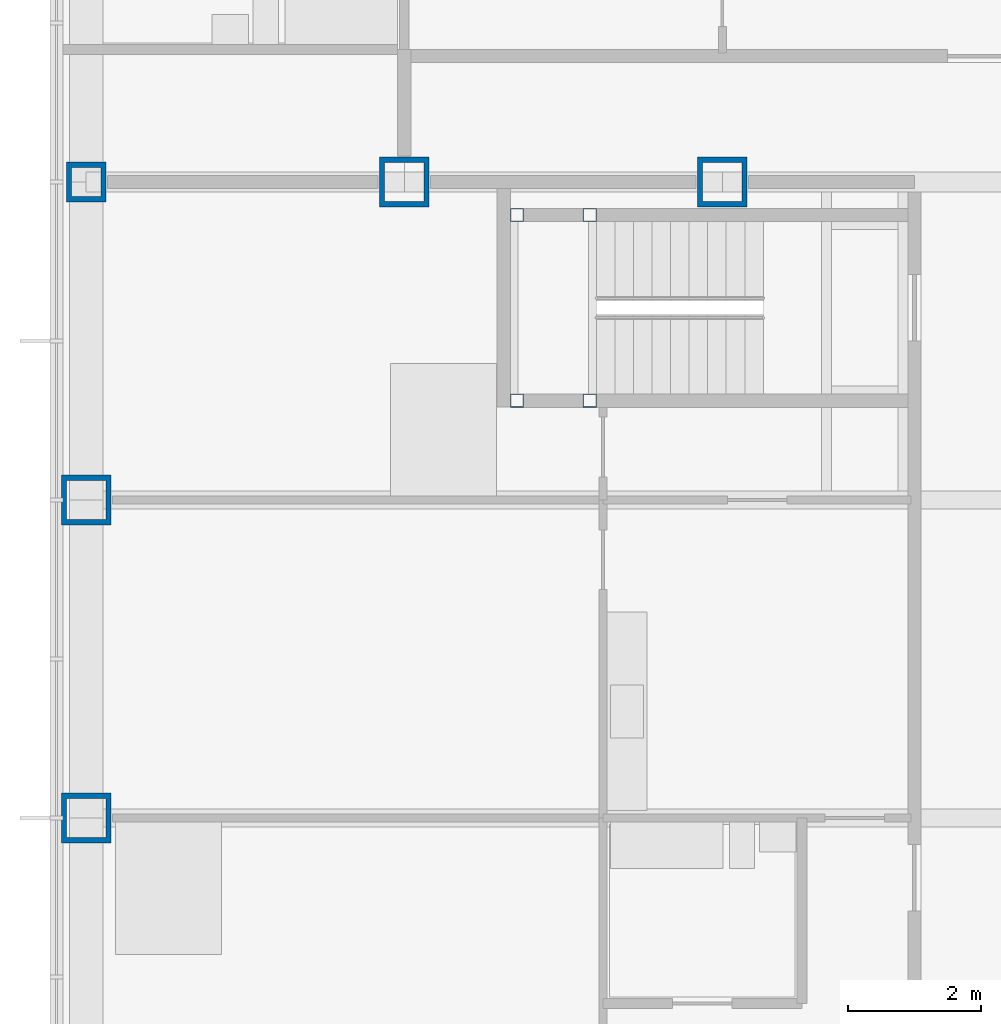
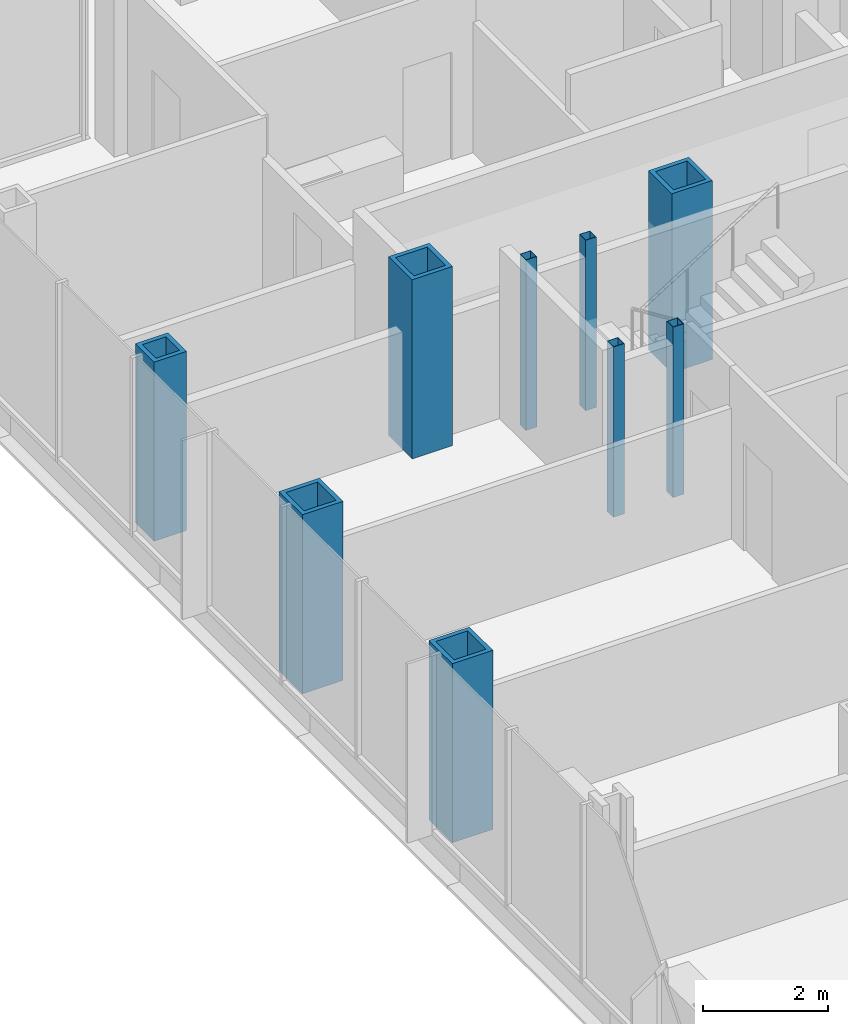
# One storey, part 3 of 21: 9 columns.
"""IFC4 building model written with IfcOpenShell, lengths in metres."""

from ifc_helpers import new_model, si_unit, direction, frame, origin, origin_2d, place, context, subcontext, project, spatial, hollow_rectangle, extrude, material, material_profile, profile_set, type_object, element, save


model = new_model("IFC4")

# Units and contexts
model_context = context("Model", 3, precision=1e-05, world=origin(), true_north=direction((0.0, 1.0)))
body_context = subcontext(model_context, "Body", "Model", "MODEL_VIEW")
ifc_project = project(units=[si_unit("LENGTHUNIT", "METRE"), si_unit("AREAUNIT", "SQUARE_METRE"), si_unit("VOLUMEUNIT", "CUBIC_METRE"), si_unit("PLANEANGLEUNIT", "RADIAN"), si_unit("MASSUNIT", "GRAM", prefix="KILO")], contexts=[model_context])

# Site, building, storey
site_placement = place(None, origin())
site = spatial("IfcSite", under=ifc_project, at=site_placement, CompositionType="ELEMENT")
building_placement = place(site_placement, origin())
building = spatial("IfcBuilding", under=site, at=building_placement, Name="Kvirike Care Tower", CompositionType="ELEMENT")
storey_placement = place(building_placement, frame((0.0, 0.0, 41.0)))
storey = spatial("IfcBuildingStorey", under=building, at=storey_placement, Name="L10", CompositionType="ELEMENT", Elevation=41.0)

# Columns
ifc_material_1 = material(Name="Steel S460", Category="steel")
ifc_material_profile_1 = material_profile(ifc_material_1, hollow_rectangle(XDim=0.60009765625, YDim=0.60009765625, WallThickness=0.080078125, at=origin_2d()), Name="BX 600x600x80")
ifc_profile_set_1 = profile_set([ifc_material_profile_1], Name="Steel S460")
column_type_1 = type_object("IfcColumnType", Name="COLUMN BX 600x600x80", PredefinedType="COLUMN", material=ifc_profile_set_1)
column_placement = place(storey_placement, frame((0.0, 43.199951171875, 0.0), z_axis=(0.0, 0.0, 1.0), x_axis=(0.0, 1.0, 0.0)))
element("IfcColumn", 1, at=column_placement, inside=storey, type_object=column_type_1, Name="Column K3 L10", PredefinedType="COLUMN", context=body_context, shape_type="SweptSolid", body=[
    extrude(hollow_rectangle(XDim=0.60009765625, YDim=0.60009765625, WallThickness=0.080078125, at=origin_2d()), origin(), (0.0, 0.0, 1.0), 3.5),
])
ifc_material_2 = material(Name="Steel S460", Category="steel")
ifc_material_profile_2 = material_profile(ifc_material_2, hollow_rectangle(XDim=0.75, YDim=0.75, WallThickness=0.080078125, at=origin_2d()), Name="BX 750x750x80")
ifc_profile_set_2 = profile_set([ifc_material_profile_2], Name="Steel S460")
column_type_2 = type_object("IfcColumnType", Name="COLUMN BX 750x750x80", PredefinedType="COLUMN", material=ifc_profile_set_2)
for number, where, z_axis, x_axis, name in (
    (2, (0.0, 33.60009765625, 0.0), (0.0, 0.0, 1.0), (1.0, 0.0, 0.0), "Column H3 L10"),
    (3, (0.0, 38.39990234375, 0.0), (0.0, 0.0, 1.0), (1.0, 0.0, 0.0), "Column J3 L10"),
    (4, (4.800048828125, 43.199951171875, 0.0), (0.0, 0.0, 1.0), (0.0, 1.0, 0.0), "Column K4 L10"),
    (5, (9.60009765625, 43.199951171875, 0.0), (0.0, 0.0, 1.0), (0.0, 1.0, 0.0), "Column K5 L10"),
):
    element("IfcColumn", number, at=place(storey_placement, frame(where, z_axis=z_axis, x_axis=x_axis)), inside=storey, type_object=column_type_2, Name=name, PredefinedType="COLUMN", context=body_context, shape_type="SweptSolid", body=[
        extrude(hollow_rectangle(XDim=0.75, YDim=0.75, WallThickness=0.080078125, at=origin_2d()), origin(), (0.0, 0.0, 1.0), 3.5),
    ])
ifc_material_3 = material(Name="Steel S460", Category="steel")
ifc_material_profile_3 = material_profile(ifc_material_3, hollow_rectangle(XDim=0.199951171875, YDim=0.199951171875, WallThickness=0.008056640625, at=origin_2d()), Name="SHS 200x200x8")
ifc_profile_set_3 = profile_set([ifc_material_profile_3], Name="Steel S460")
column_type_3 = type_object("IfcColumnType", Name="STAIR POST SHS 200x200x8", PredefinedType="COLUMN", material=ifc_profile_set_3)
for number, where, z_axis, x_axis, name in (
    (6, (6.5, 42.699951171875, 0.0), (0.0, 0.0, 1.0), (1.0, 0.0, 0.0), "Stair 1 post 1 L10"),
    (7, (6.5, 39.89990234375, 0.0), (0.0, 0.0, 1.0), (1.0, 0.0, 0.0), "Stair 1 post 2 L10"),
    (8, (7.60009765625, 42.699951171875, 0.0), (0.0, 0.0, 1.0), (1.0, 0.0, 0.0), "Stair 1 post 3 L10"),
    (9, (7.60009765625, 39.89990234375, 0.0), (0.0, 0.0, 1.0), (1.0, 0.0, 0.0), "Stair 1 post 4 L10"),
):
    element("IfcColumn", number, at=place(storey_placement, frame(where, z_axis=z_axis, x_axis=x_axis)), inside=storey, type_object=column_type_3, Name=name, PredefinedType="COLUMN", context=body_context, shape_type="SweptSolid", body=[
        extrude(hollow_rectangle(XDim=0.199951171875, YDim=0.199951171875, WallThickness=0.008056640625, at=origin_2d()), origin(), (0.0, 0.0, 1.0), 3.330078125),
    ])

save(model, "model.ifc")
